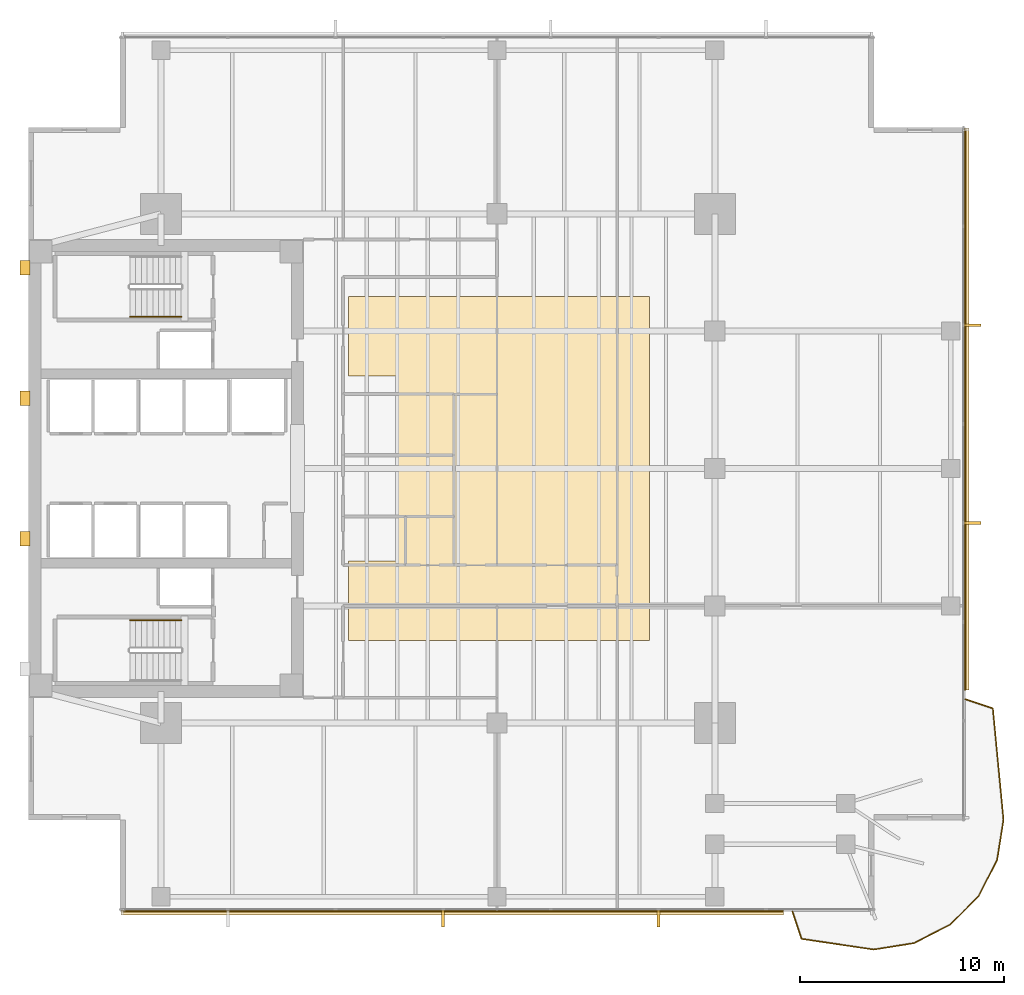
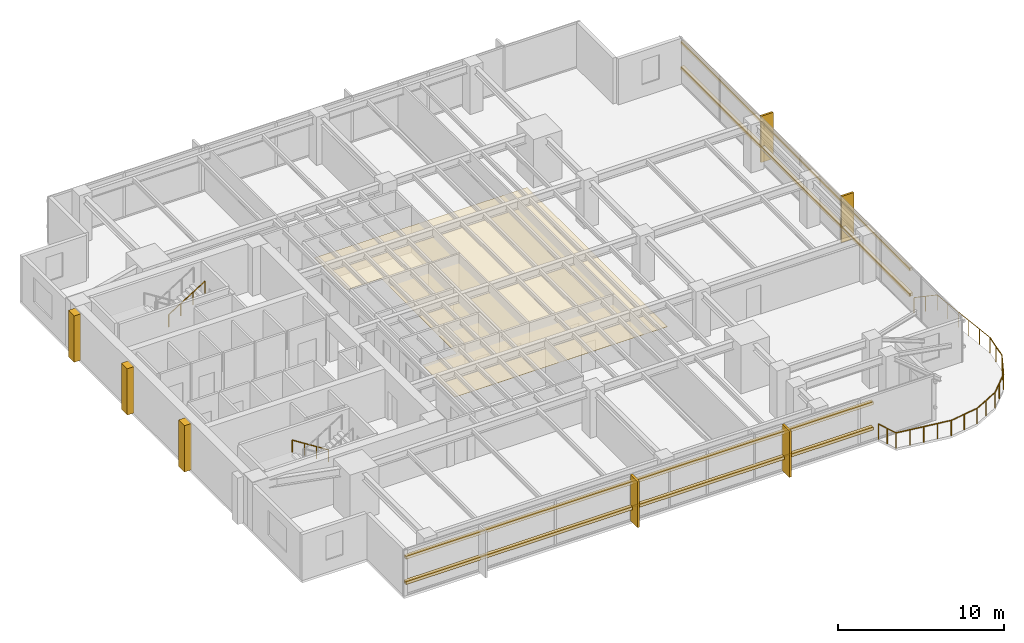
# One storey, part 12 of 14: 12 coverings, 11 railings, 4 shading devices.
"""IFC4 building model written with IfcOpenShell, lengths in metres."""

from ifc_helpers import new_model, si_unit, direction, frame, origin, origin_2d, place, context, subcontext, project, spatial, polyline, rectangle, circle, outline, extrude, material, layer, layer_set, material_profile, profile_set, type_object, element, save


model = new_model("IFC4")

# Units and contexts
model_context = context("Model", 3, precision=1e-05, world=origin(), true_north=direction((0.0, 1.0)))
body_context = subcontext(model_context, "Body", "Model", "MODEL_VIEW")
ifc_project = project(units=[si_unit("LENGTHUNIT", "METRE"), si_unit("AREAUNIT", "SQUARE_METRE"), si_unit("VOLUMEUNIT", "CUBIC_METRE"), si_unit("PLANEANGLEUNIT", "RADIAN"), si_unit("MASSUNIT", "GRAM", prefix="KILO")], contexts=[model_context])

# Site, building, storey
site_placement = place(None, origin())
site = spatial("IfcSite", under=ifc_project, at=site_placement, CompositionType="ELEMENT")
building_placement = place(site_placement, origin())
building = spatial("IfcBuilding", under=site, at=building_placement, Name="Kinhvarn Gate Tower", CompositionType="ELEMENT")
storey_placement = place(building_placement, frame((0.0, 0.0, 144.85009765625)))
storey = spatial("IfcBuildingStorey", under=building, at=storey_placement, Name="L38", CompositionType="ELEMENT", Elevation=144.85009765625)

# Coverings
ifc_material_1 = material(Name="Fired architectural terracotta", Category="masonry")
ifc_layer_1 = layer(ifc_material_1, 0.239990234375)
ifc_layer_set_1 = layer_set([ifc_layer_1], Name="Fired architectural terracotta")
covering_type_1 = type_object("IfcCoveringType", Name="COV-BAG-220", PredefinedType="CLADDING", material=ifc_layer_set_1)
for number, where, name in (
    (1, (0.0, 0.0, 0.93994140625), "Terracotta Horizontal Sunscreen Band TBG-220 (L38)"),
    (2, (0.0, 0.0, 2.809814453125), "Terracotta Horizontal Sunscreen Band TBG-220 (L38)"),
):
    element("IfcCovering", number, at=place(storey_placement, frame(where)), inside=storey, type_object=covering_type_1, Name=name, PredefinedType="CLADDING", context=body_context, shape_type="SweptSolid", body=[
        extrude(outline(polyline([(9.0400390625, 3.570068359375), (41.55810546875, 3.570068359375), (41.55810546875, 3.330078125), (9.0400390625, 3.330078125), (9.0400390625, 3.570068359375)])), origin(), (0.0, 0.0, 1.0), 0.219970703125),
    ])
for number, where, name in (
    (3, (0.0, 0.0, 0.93994140625), "Terracotta Horizontal Sunscreen Band TBG-220 (L38)"),
    (4, (0.0, 0.0, 2.809814453125), "Terracotta Horizontal Sunscreen Band TBG-220 (L38)"),
):
    element("IfcCovering", number, at=place(storey_placement, frame(where)), inside=storey, type_object=covering_type_1, Name=name, PredefinedType="CLADDING", context=body_context, shape_type="SweptSolid", body=[
        extrude(outline(polyline([(50.429931640625, 14.3701171875), (50.429931640625, 41.9599609375), (50.669921875, 41.9599609375), (50.669921875, 14.3701171875), (50.429931640625, 14.3701171875)])), origin(), (0.0, 0.0, 1.0), 0.219970703125),
    ])
ifc_material_2 = material(Name="Mineral-fibre acoustic ceiling tile")
ifc_layer_2 = layer(ifc_material_2, 0.02001953125)
ifc_layer_set_2 = layer_set([ifc_layer_2], Name="Mineral-fibre acoustic ceiling tile")
covering_type_2 = type_object("IfcCoveringType", Name="COV-CEIL-20", PredefinedType="CEILING", material=ifc_layer_set_2)
covering_1_placement = place(storey_placement, frame((0.0, 0.0, 2.64990234375)))
element("IfcCovering", 5, at=covering_1_placement, inside=storey, type_object=covering_type_2, Name="Suspended Acoustic Ceiling Tile (L38-1)", PredefinedType="CEILING", context=body_context, shape_type="SweptSolid", body=[
    extrude(outline(polyline([(35.0, 33.699951171875), (35.0, 16.800048828125), (20.199951171875, 16.800048828125), (20.199951171875, 20.699951171875), (22.60009765625, 20.699951171875), (22.60009765625, 29.800048828125), (20.199951171875, 29.800048828125), (20.199951171875, 33.699951171875), (35.0, 33.699951171875)])), origin(), (0.0, 0.0, 1.0), 0.02001953125),
])
ifc_layer_3 = layer(ifc_material_1, 0.139892578125)
ifc_layer_set_3 = layer_set([ifc_layer_3], Name="Fired architectural terracotta")
covering_type_3 = type_object("IfcCoveringType", Name="COV-FIN-850", PredefinedType="CLADDING", material=ifc_layer_set_3)
covering_2_placement = place(storey_placement, frame((0.0, 0.0, -0.02001953125)))
element("IfcCovering", 6, at=covering_2_placement, inside=storey, type_object=covering_type_3, Name="Vertical Terracotta Expressive Fin TFN-850 (L38)", PredefinedType="CLADDING", context=body_context, shape_type="SweptSolid", body=[
    extrude(outline(polyline([(24.787109375, 3.580078125), (24.927001953125, 3.580078125), (24.927001953125, 2.72998046875), (24.787109375, 2.72998046875), (24.787109375, 3.580078125)])), origin(), (0.0, 0.0, 1.0), 3.409912109375),
])
covering_3_placement = place(storey_placement, frame((0.0, 0.0, -0.02001953125)))
element("IfcCovering", 7, at=covering_3_placement, inside=storey, type_object=covering_type_3, Name="Vertical Terracotta Expressive Fin TFN-850 (L38)", PredefinedType="CLADDING", context=body_context, shape_type="SweptSolid", body=[
    extrude(outline(polyline([(35.358642578125, 3.580078125), (35.49853515625, 3.580078125), (35.49853515625, 2.72998046875), (35.358642578125, 2.72998046875), (35.358642578125, 3.580078125)])), origin(), (0.0, 0.0, 1.0), 3.409912109375),
])
covering_4_placement = place(storey_placement, frame((0.0, 0.0, -0.02001953125)))
element("IfcCovering", 8, at=covering_4_placement, inside=storey, type_object=covering_type_3, Name="Vertical Terracotta Expressive Fin TFN-850 (L38)", PredefinedType="CLADDING", context=body_context, shape_type="SweptSolid", body=[
    extrude(outline(polyline([(50.419921875, 22.50146484375), (50.419921875, 22.641357421875), (51.27001953125, 22.641357421875), (51.27001953125, 22.50146484375), (50.419921875, 22.50146484375)])), origin(), (0.0, 0.0, 1.0), 3.409912109375),
])
covering_5_placement = place(storey_placement, frame((0.0, 0.0, -0.02001953125)))
element("IfcCovering", 9, at=covering_5_placement, inside=storey, type_object=covering_type_3, Name="Vertical Terracotta Expressive Fin TFN-850 (L38)", PredefinedType="CLADDING", context=body_context, shape_type="SweptSolid", body=[
    extrude(outline(polyline([(50.419921875, 32.2158203125), (50.419921875, 32.355712890625), (51.27001953125, 32.355712890625), (51.27001953125, 32.2158203125), (50.419921875, 32.2158203125)])), origin(), (0.0, 0.0, 1.0), 3.409912109375),
])
ifc_material_3 = material(Name="Precast white architectural concrete C40/50", Category="concrete")
ifc_layer_4 = layer(ifc_material_3, 0.47998046875)
ifc_layer_set_4 = layer_set([ifc_layer_4], Name="Precast white architectural concrete C40/50")
covering_type_4 = type_object("IfcCoveringType", Name="COV-RIB-450", PredefinedType="CLADDING", material=ifc_layer_set_4)
covering_6_placement = place(storey_placement, frame((0.0, 0.0, -0.02001953125)))
element("IfcCovering", 10, at=covering_6_placement, inside=storey, type_object=covering_type_4, Name="West Core Sculptural Concrete Relief Rib CRB-450 (L38)", PredefinedType="CLADDING", context=body_context, shape_type="SweptSolid", body=[
    extrude(outline(polyline([(4.080078125, 21.449951171875), (4.56005859375, 21.449951171875), (4.56005859375, 22.14990234375), (4.080078125, 22.14990234375), (4.080078125, 21.449951171875)])), origin(), (0.0, 0.0, 1.0), 3.409912109375),
])
covering_7_placement = place(storey_placement, frame((0.0, 0.0, -0.02001953125)))
element("IfcCovering", 11, at=covering_7_placement, inside=storey, type_object=covering_type_4, Name="West Core Sculptural Concrete Relief Rib CRB-450 (L38)", PredefinedType="CLADDING", context=body_context, shape_type="SweptSolid", body=[
    extrude(outline(polyline([(4.080078125, 28.35009765625), (4.56005859375, 28.35009765625), (4.56005859375, 29.050048828125), (4.080078125, 29.050048828125), (4.080078125, 28.35009765625)])), origin(), (0.0, 0.0, 1.0), 3.409912109375),
])
covering_8_placement = place(storey_placement, frame((0.0, 0.0, -0.02001953125)))
element("IfcCovering", 12, at=covering_8_placement, inside=storey, type_object=covering_type_4, Name="West Core Sculptural Concrete Relief Rib CRB-450 (L38)", PredefinedType="CLADDING", context=body_context, shape_type="SweptSolid", body=[
    extrude(outline(polyline([(4.080078125, 34.75), (4.56005859375, 34.75), (4.56005859375, 35.449951171875), (4.080078125, 35.449951171875), (4.080078125, 34.75)])), origin(), (0.0, 0.0, 1.0), 3.409912109375),
])

# Railings
ifc_material_4 = material(Name="Clear low-e double glazing", Category="glass")
railing_type_1 = type_object("IfcRailingType", Name="RL-BAL-1150", PredefinedType="BALUSTRADE", material=ifc_material_4)
railing_1_placement = place(storey_placement, frame((42.008056640625, 3.5, 0.0)))
element("IfcRailing", 13, at=railing_1_placement, inside=storey, type_object=railing_type_1, Name="S-Carve Balcony Guardrail Seg 1 (L38)", PredefinedType="BALUSTRADE", context=body_context, shape_type="SweptSolid", body=[
    extrude(circle(Radius=0.02392578125, at=origin_2d()), frame((0.0, 0.0, 1.1259765625), z_axis=(0.316794949496, -0.948494048465, 0.0), x_axis=(0.948494048465, 0.316794949496, 0.0)), (0.0, 0.0, 1.0), 1.42041015625),
    extrude(circle(Radius=0.02099609375, at=origin_2d()), origin(), (0.0, 0.0, 1.0), 1.101806640625),
    extrude(circle(Radius=0.02099609375, at=origin_2d()), frame((0.22509765625, -0.673583984375, 0.0)), (0.0, 0.0, 1.0), 1.101806640625),
    extrude(circle(Radius=0.02099609375, at=origin_2d()), frame((0.449951171875, -1.34716796875, 0.0)), (0.0, 0.0, 1.0), 1.101806640625),
])
railing_2_placement = place(storey_placement, frame((42.4580078125, 2.15283203125, 0.0)))
element("IfcRailing", 14, at=railing_2_placement, inside=storey, type_object=railing_type_1, Name="S-Carve Balcony Guardrail Seg 2 (L38)", PredefinedType="BALUSTRADE", context=body_context, shape_type="SweptSolid", body=[
    extrude(circle(Radius=0.02392578125, at=origin_2d()), frame((0.0, 0.0, 1.1259765625), z_axis=(0.989236386089, -0.146326253415, 0.0), x_axis=(0.146326253415, 0.989236386089, 0.0)), (0.0, 0.0, 1.0), 3.58056640625),
    extrude(circle(Radius=0.02099609375, at=origin_2d()), origin(), (0.0, 0.0, 1.0), 1.101806640625),
    extrude(circle(Radius=0.02099609375, at=origin_2d()), frame((0.885498046875, -0.130859375, 0.0)), (0.0, 0.0, 1.0), 1.101806640625),
    extrude(circle(Radius=0.02099609375, at=origin_2d()), frame((1.77099609375, -0.261962890625, 0.0)), (0.0, 0.0, 1.0), 1.101806640625),
    extrude(circle(Radius=0.02099609375, at=origin_2d()), frame((2.656494140625, -0.39306640625, 0.0)), (0.0, 0.0, 1.0), 1.101806640625),
    extrude(circle(Radius=0.02099609375, at=origin_2d()), frame((3.5419921875, -0.52392578125, 0.0)), (0.0, 0.0, 1.0), 1.101806640625),
])
railing_3_placement = place(storey_placement, frame((46.0, 1.62890625, 0.0)))
element("IfcRailing", 15, at=railing_3_placement, inside=storey, type_object=railing_type_1, Name="S-Carve Balcony Guardrail Seg 3 (L38)", PredefinedType="BALUSTRADE", context=body_context, shape_type="SweptSolid", body=[
    extrude(circle(Radius=0.02392578125, at=origin_2d()), frame((0.0, 0.0, 1.1259765625), z_axis=(0.987673426318, 0.156528601046, 0.0), x_axis=(-0.156528601046, 0.987673426318, 0.0)), (0.0, 0.0, 1.0), 1.993408203125),
    extrude(circle(Radius=0.02099609375, at=origin_2d()), origin(), (0.0, 0.0, 1.0), 1.101806640625),
    extrude(circle(Radius=0.02099609375, at=origin_2d()), frame((0.984375, 0.156005859375, 0.0)), (0.0, 0.0, 1.0), 1.101806640625),
    extrude(circle(Radius=0.02099609375, at=origin_2d()), frame((1.96875, 0.31201171875, 0.0)), (0.0, 0.0, 1.0), 1.101806640625),
])
railing_4_placement = place(storey_placement, frame((47.96875, 1.94091796875, 0.0)))
element("IfcRailing", 16, at=railing_4_placement, inside=storey, type_object=railing_type_1, Name="S-Carve Balcony Guardrail Seg 4 (L38)", PredefinedType="BALUSTRADE", context=body_context, shape_type="SweptSolid", body=[
    extrude(circle(Radius=0.02392578125, at=origin_2d()), frame((0.0, 0.0, 1.1259765625), z_axis=(0.891046039679, 0.453912937877, 0.0), x_axis=(-0.453912937877, 0.891046039679, 0.0)), (0.0, 0.0, 1.0), 1.993408203125),
    extrude(circle(Radius=0.02099609375, at=origin_2d()), origin(), (0.0, 0.0, 1.0), 1.101806640625),
    extrude(circle(Radius=0.02099609375, at=origin_2d()), frame((0.88818359375, 0.452392578125, 0.0)), (0.0, 0.0, 1.0), 1.101806640625),
    extrude(circle(Radius=0.02099609375, at=origin_2d()), frame((1.776123046875, 0.90478515625, 0.0)), (0.0, 0.0, 1.0), 1.101806640625),
])
railing_5_placement = place(storey_placement, frame((49.744873046875, 2.845703125, 0.0)))
element("IfcRailing", 17, at=railing_5_placement, inside=storey, type_object=railing_type_1, Name="S-Carve Balcony Guardrail Seg 5 (L38)", PredefinedType="BALUSTRADE", context=body_context, shape_type="SweptSolid", body=[
    extrude(circle(Radius=0.02392578125, at=origin_2d()), frame((0.0, 0.0, 1.1259765625), z_axis=(0.707106781187, 0.707106781187, 0.0), x_axis=(-0.707106781187, 0.707106781187, 0.0)), (0.0, 0.0, 1.0), 1.9931640625),
    extrude(circle(Radius=0.02099609375, at=origin_2d()), origin(), (0.0, 0.0, 1.0), 1.101806640625),
    extrude(circle(Radius=0.02099609375, at=origin_2d()), frame((0.70458984375, 0.70458984375, 0.0)), (0.0, 0.0, 1.0), 1.101806640625),
    extrude(circle(Radius=0.02099609375, at=origin_2d()), frame((1.409423828125, 1.409423828125, 0.0)), (0.0, 0.0, 1.0), 1.101806640625),
])
railing_6_placement = place(storey_placement, frame((51.154296875, 4.255126953125, 0.0)))
element("IfcRailing", 18, at=railing_6_placement, inside=storey, type_object=railing_type_1, Name="S-Carve Balcony Guardrail Seg 6 (L38)", PredefinedType="BALUSTRADE", context=body_context, shape_type="SweptSolid", body=[
    extrude(circle(Radius=0.02392578125, at=origin_2d()), frame((0.0, 0.0, 1.1259765625), z_axis=(0.453912937877, 0.891046039679, 0.0), x_axis=(-0.891046039679, 0.453912937877, 0.0)), (0.0, 0.0, 1.0), 1.993408203125),
    extrude(circle(Radius=0.02099609375, at=origin_2d()), origin(), (0.0, 0.0, 1.0), 1.101806640625),
    extrude(circle(Radius=0.02099609375, at=origin_2d()), frame((0.452392578125, 0.88818359375, 0.0)), (0.0, 0.0, 1.0), 1.101806640625),
    extrude(circle(Radius=0.02099609375, at=origin_2d()), frame((0.90478515625, 1.776123046875, 0.0)), (0.0, 0.0, 1.0), 1.101806640625),
])
railing_7_placement = place(storey_placement, frame((52.05908203125, 6.03125, 0.0)))
element("IfcRailing", 19, at=railing_7_placement, inside=storey, type_object=railing_type_1, Name="S-Carve Balcony Guardrail Seg 7 (L38)", PredefinedType="BALUSTRADE", context=body_context, shape_type="SweptSolid", body=[
    extrude(circle(Radius=0.02392578125, at=origin_2d()), frame((0.0, 0.0, 1.1259765625), z_axis=(0.156528601046, 0.987673426318, 0.0), x_axis=(-0.987673426318, 0.156528601046, 0.0)), (0.0, 0.0, 1.0), 1.993408203125),
    extrude(circle(Radius=0.02099609375, at=origin_2d()), origin(), (0.0, 0.0, 1.0), 1.101806640625),
    extrude(circle(Radius=0.02099609375, at=origin_2d()), frame((0.156005859375, 0.984375, 0.0)), (0.0, 0.0, 1.0), 1.101806640625),
    extrude(circle(Radius=0.02099609375, at=origin_2d()), frame((0.31201171875, 1.96875, 0.0)), (0.0, 0.0, 1.0), 1.101806640625),
])
railing_8_placement = place(storey_placement, frame((52.37109375, 8.0, 0.0)))
element("IfcRailing", 20, at=railing_8_placement, inside=storey, type_object=railing_type_1, Name="S-Carve Balcony Guardrail Seg 8 (L38)", PredefinedType="BALUSTRADE", context=body_context, shape_type="SweptSolid", body=[
    extrude(circle(Radius=0.02392578125, at=origin_2d()), frame((0.0, 0.0, 1.1259765625), z_axis=(-0.095345827824, 0.995444208942, 0.0), x_axis=(-0.995444208942, -0.095345827824, 0.0)), (0.0, 0.0, 1.0), 5.4951171875),
    extrude(circle(Radius=0.02099609375, at=origin_2d()), origin(), (0.0, 0.0, 1.0), 1.101806640625),
    extrude(circle(Radius=0.02099609375, at=origin_2d()), frame((-0.104736328125, 1.093994140625, 0.0)), (0.0, 0.0, 1.0), 1.101806640625),
    extrude(circle(Radius=0.02099609375, at=origin_2d()), frame((-0.20947265625, 2.18798828125, 0.0)), (0.0, 0.0, 1.0), 1.101806640625),
    extrude(circle(Radius=0.02099609375, at=origin_2d()), frame((-0.314453125, 3.281982421875, 0.0)), (0.0, 0.0, 1.0), 1.101806640625),
    extrude(circle(Radius=0.02099609375, at=origin_2d()), frame((-0.419189453125, 4.3759765625, 0.0)), (0.0, 0.0, 1.0), 1.101806640625),
    extrude(circle(Radius=0.02099609375, at=origin_2d()), frame((-0.52392578125, 5.469970703125, 0.0)), (0.0, 0.0, 1.0), 1.101806640625),
])
railing_9_placement = place(storey_placement, frame((51.84716796875, 13.469970703125, 0.0)))
element("IfcRailing", 21, at=railing_9_placement, inside=storey, type_object=railing_type_1, Name="S-Carve Balcony Guardrail Seg 9 (L38)", PredefinedType="BALUSTRADE", context=body_context, shape_type="SweptSolid", body=[
    extrude(circle(Radius=0.02392578125, at=origin_2d()), frame((0.0, 0.0, 1.1259765625), z_axis=(-0.948494048465, 0.316794949496, 0.0), x_axis=(-0.316794949496, -0.948494048465, 0.0)), (0.0, 0.0, 1.0), 1.42041015625),
    extrude(circle(Radius=0.02099609375, at=origin_2d()), origin(), (0.0, 0.0, 1.0), 1.101806640625),
    extrude(circle(Radius=0.02099609375, at=origin_2d()), frame((-0.673583984375, 0.22509765625, 0.0)), (0.0, 0.0, 1.0), 1.101806640625),
    extrude(circle(Radius=0.02099609375, at=origin_2d()), frame((-1.34716796875, 0.449951171875, 0.0)), (0.0, 0.0, 1.0), 1.101806640625),
])
ifc_material_5 = material(Name="Steel S355", Category="steel")
railing_type_2 = type_object("IfcRailingType", Name="RL-ST-HND", PredefinedType="HANDRAIL", material=ifc_material_5)
railing_10_placement = place(storey_placement, frame((12.0, 17.800048828125, 0.177490234375)))
element("IfcRailing", 22, at=railing_10_placement, inside=storey, type_object=railing_type_2, Name="L38 ST1 stair handrail 1", PredefinedType="HANDRAIL", context=body_context, shape_type="SweptSolid", body=[
    extrude(circle(Radius=0.02392578125, at=origin_2d()), frame((0.0, 0.0, 0.8759765625), z_axis=(-0.84460694969, 0.0, 0.535386869969), x_axis=(0.0, -1.0, 0.0)), (0.0, 0.0, 1.0), 2.983642578125),
    extrude(circle(Radius=0.02099609375, at=origin_2d()), origin(), (0.0, 0.0, 1.0), 0.851806640625),
    extrude(circle(Radius=0.02099609375, at=origin_2d()), frame((-0.840087890625, 0.0, 0.532470703125)), (0.0, 0.0, 1.0), 0.851806640625),
    extrude(circle(Radius=0.02099609375, at=origin_2d()), frame((-1.679931640625, 0.0, 1.06494140625)), (0.0, 0.0, 1.0), 0.851806640625),
    extrude(circle(Radius=0.02099609375, at=origin_2d()), frame((-2.52001953125, 0.0, 1.597412109375)), (0.0, 0.0, 1.0), 0.851806640625),
])
railing_11_placement = place(storey_placement, frame((9.47998046875, 32.699951171875, 1.952392578125)))
element("IfcRailing", 23, at=railing_11_placement, inside=storey, type_object=railing_type_2, Name="L38 ST2 stair handrail 2", PredefinedType="HANDRAIL", context=body_context, shape_type="SweptSolid", body=[
    extrude(circle(Radius=0.02392578125, at=origin_2d()), frame((0.0, 0.0, 0.8759765625), z_axis=(0.84460694969, 0.0, 0.535386869969), x_axis=(0.0, 1.0, 0.0)), (0.0, 0.0, 1.0), 2.983642578125),
    extrude(circle(Radius=0.02099609375, at=origin_2d()), origin(), (0.0, 0.0, 1.0), 0.851806640625),
    extrude(circle(Radius=0.02099609375, at=origin_2d()), frame((0.840087890625, 0.0, 0.532470703125)), (0.0, 0.0, 1.0), 0.851806640625),
    extrude(circle(Radius=0.02099609375, at=origin_2d()), frame((1.679931640625, 0.0, 1.06494140625)), (0.0, 0.0, 1.0), 0.851806640625),
    extrude(circle(Radius=0.02099609375, at=origin_2d()), frame((2.52001953125, 0.0, 1.597412109375)), (0.0, 0.0, 1.0), 0.851806640625),
])

# Shading devices
ifc_material_profile = material_profile(ifc_material_1, rectangle(XDim=0.050048828125, YDim=0.1201171875, at=origin_2d()), Name="TC 50x120")
ifc_profile_set = profile_set([ifc_material_profile], Name="Fired architectural terracotta")
shading_device_type = type_object("IfcShadingDeviceType", Name="SHD-BAG-140", PredefinedType="USERDEFINED", material=ifc_profile_set)
for number, where, z_axis, x_axis, name in (
    (24, (9.0400390625, 3.5, 1.0498046875), (1.0, 0.0, 0.0), (0.0, 1.0, 0.0), "Upper Tower Terracotta Baguette Screen Rod 50x120 mm (L38)"),
    (25, (9.0400390625, 3.5, 2.919921875), (1.0, 0.0, 0.0), (0.0, 1.0, 0.0), "Upper Tower Terracotta Baguette Screen Rod 50x120 mm (L38)"),
):
    element("IfcShadingDevice", number, at=place(storey_placement, frame(where, z_axis=z_axis, x_axis=x_axis)), inside=storey, type_object=shading_device_type, Name=name, ObjectType="BAGUETTE", PredefinedType="USERDEFINED", context=body_context, shape_type="SweptSolid", body=[
        extrude(rectangle(XDim=0.050048828125, YDim=0.1201171875, at=origin_2d()), origin(), (0.0, 0.0, 1.0), 32.51806640625),
    ])
for number, where, z_axis, x_axis, name in (
    (26, (50.5, 14.3701171875, 1.0498046875), (0.0, 1.0, 0.0), (-1.0, 0.0, 0.0), "Upper Tower Terracotta Baguette Screen Rod 50x120 mm (L38)"),
    (27, (50.5, 14.3701171875, 2.919921875), (0.0, 1.0, 0.0), (-1.0, 0.0, 0.0), "Upper Tower Terracotta Baguette Screen Rod 50x120 mm (L38)"),
):
    element("IfcShadingDevice", number, at=place(storey_placement, frame(where, z_axis=z_axis, x_axis=x_axis)), inside=storey, type_object=shading_device_type, Name=name, ObjectType="BAGUETTE", PredefinedType="USERDEFINED", context=body_context, shape_type="SweptSolid", body=[
        extrude(rectangle(XDim=0.050048828125, YDim=0.1201171875, at=origin_2d()), origin(), (0.0, 0.0, 1.0), 27.58984375),
    ])

save(model, "model.ifc")
